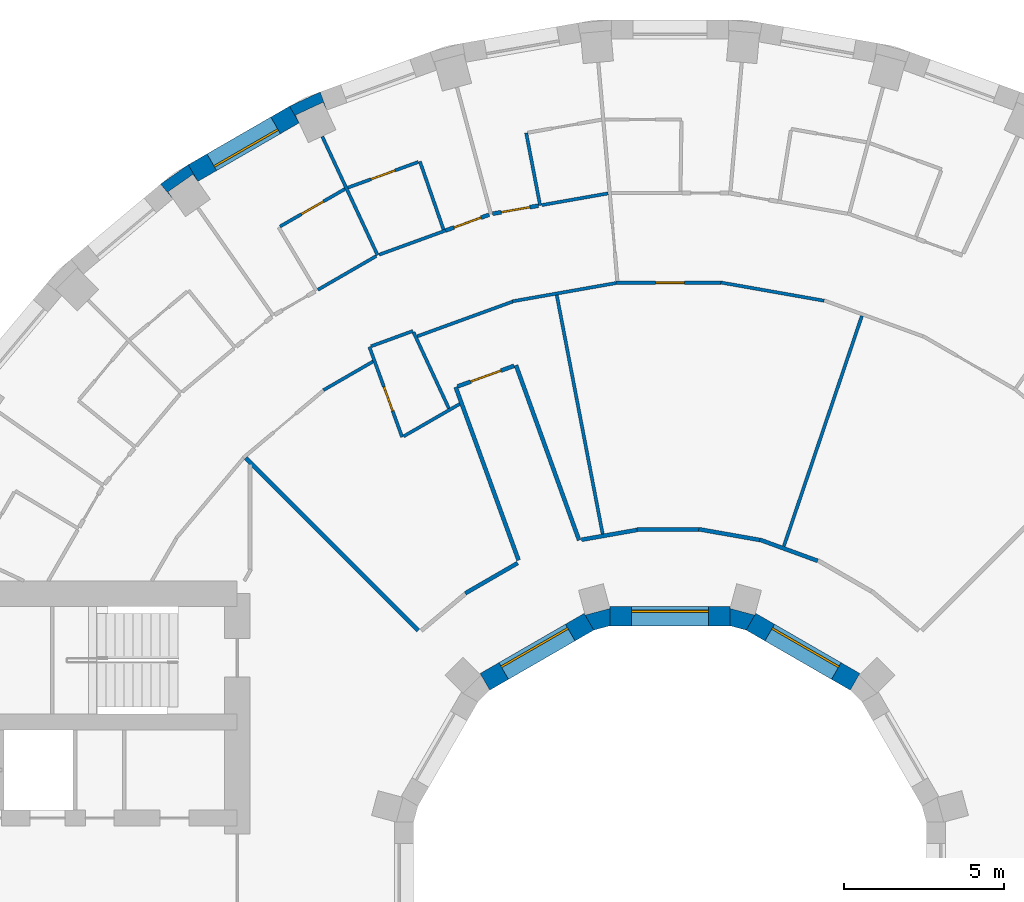
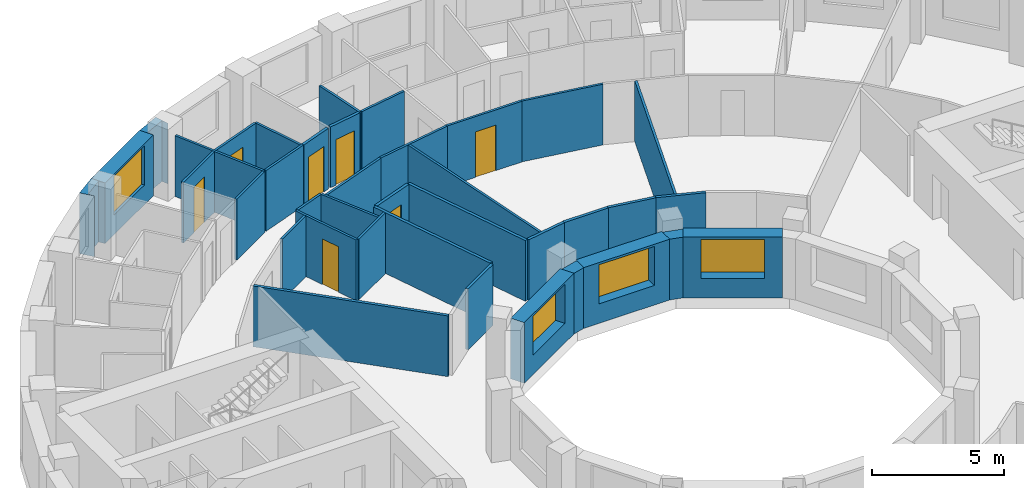
# One storey, part 10 of 14: 38 walls, 7 doors, 4 windows, 11 openings.
"""IFC4 building model written with IfcOpenShell, lengths in metres."""

import ifcopenshell
import ifcopenshell.guid

model = None  # the IFC model being written
_history = None  # IfcOwnerHistory: only IFC2X3 demands one
_inside = {}  # id of a spatial element -> (the spatial element, [elements in it])
_under = {}  # id of a project, library or spatial element -> (it, [spatial elements below it])
_declared = {}  # id of a project -> (the project, [libraries it declares])
_typed = {}  # id of a type object -> (the type object, [elements of that type])
_made_of = {}  # id of a material, layer set ... -> (it, [elements and type objects made of it])


def new_model(schema):
    """Start an empty IFC model of exactly this schema.

    Asked for "IFC4X3", IfcOpenShell would pick the latest addendum, in which some entities
    have other attributes; the version numbers below select the first issue.
    IFC2X3 requires an IfcOwnerHistory on every rooted entity: one is made here for all.
    """
    global model, _history
    if schema == "IFC4X3":
        model = ifcopenshell.file(schema_version=(4, 3, 0, 0))
    else:
        model = ifcopenshell.file(schema=schema)
    _inside.clear()
    _under.clear()
    _declared.clear()
    _typed.clear()
    _made_of.clear()
    _history = None
    if model.schema == "IFC2X3":
        org = make("IfcOrganization", Name="unknown")
        user = make(
            "IfcPersonAndOrganization",
            ThePerson=make("IfcPerson", FamilyName="unknown"),
            TheOrganization=org,
        )
        app = make(
            "IfcApplication",
            ApplicationDeveloper=org,
            Version="unknown",
            ApplicationFullName="unknown",
            ApplicationIdentifier="unknown",
        )
        _history = make(
            "IfcOwnerHistory",
            OwningUser=user,
            OwningApplication=app,
            ChangeAction="ADDED",
            CreationDate=0,
        )
    return model


def make(cls, **values):
    """One entity of the class cls with the attributes given. An attribute that is None is left unset."""
    return model.create_entity(
        cls, **{name: value for name, value in values.items() if value is not None}
    )


def rooted(cls, **values):
    """An entity with a GlobalId (a new one), such as an element, a storey or a relation."""
    return make(cls, GlobalId=ifcopenshell.guid.new(), OwnerHistory=_history, **values)


def si_unit(unit_type, name, prefix=None):
    """IfcSIUnit, for example si_unit("LENGTHUNIT", "METRE", prefix="MILLI")."""
    return make("IfcSIUnit", UnitType=unit_type, Prefix=prefix, Name=name)


def assignment(units):
    """IfcUnitAssignment: the units of a project."""
    return None if units is None else make("IfcUnitAssignment", Units=units)


def point(xyz):
    """IfcCartesianPoint."""
    return None if xyz is None else make("IfcCartesianPoint", Coordinates=xyz)


def direction(xyz):
    """IfcDirection."""
    return None if xyz is None else make("IfcDirection", DirectionRatios=xyz)


def frame(location, z_axis=None, x_axis=None):
    """IfcAxis2Placement3D, a coordinate frame: its origin and axes. An axis left out is left unset."""
    return make(
        "IfcAxis2Placement3D",
        Location=point(location),
        Axis=direction(z_axis),
        RefDirection=direction(x_axis),
    )


def frame_2d(location, x_axis=None):
    """IfcAxis2Placement2D, a coordinate frame in the plane: its origin and x axis."""
    return make(
        "IfcAxis2Placement2D", Location=point(location), RefDirection=direction(x_axis)
    )


def origin():
    """The frame at (0, 0, 0) with its axes left unset."""
    return frame((0.0, 0.0, 0.0))


def place(relative_to, where):
    """IfcLocalPlacement: puts the frame where relative to a parent placement (None: the world)."""
    return make(
        "IfcLocalPlacement", PlacementRelTo=relative_to, RelativePlacement=where
    )


def context(
    kind, dimensions, precision=None, world=None, true_north=None, identifier=None
):
    """IfcGeometricRepresentationContext, for example the 3D "Model" context."""
    return make(
        "IfcGeometricRepresentationContext",
        ContextIdentifier=identifier,
        ContextType=kind,
        CoordinateSpaceDimension=dimensions,
        Precision=precision,
        WorldCoordinateSystem=world,
        TrueNorth=true_north,
    )


def subcontext(parent, identifier, kind, view, scale=None):
    """IfcGeometricRepresentationSubContext, for example "Body" below "Model"."""
    return make(
        "IfcGeometricRepresentationSubContext",
        ContextIdentifier=identifier,
        ContextType=kind,
        ParentContext=parent,
        TargetScale=scale,
        TargetView=view,
    )


def project(units=None, contexts=None):
    """IfcProject with its units and contexts."""
    return rooted(
        "IfcProject",
        Name="project",
        RepresentationContexts=contexts,
        UnitsInContext=assignment(units),
    )


def spatial(cls, under=None, at=None, **own):
    """A site, building, storey or space (cls), placed at a placement, below another one or the project."""
    s = rooted(cls, ObjectPlacement=at, **own)
    if under is not None:
        _under.setdefault(under.id(), (under, []))[1].append(s)
    return s


def polyline(points):
    """IfcPolyline through the points."""
    return make("IfcPolyline", Points=[point(p) for p in points])


def profile(cls, at=None, kind="AREA", **sizes):
    """A parametric profile (cls). Its sizes go by their IFC names, for example OverallWidth=200.0."""
    return make(cls, ProfileType=kind, Position=at, **sizes)


def rectangle(**sizes):
    """IfcRectangleProfileDef."""
    return profile("IfcRectangleProfileDef", **sizes)


def outline(outer, holes=None, kind="AREA"):
    """IfcArbitraryClosedProfileDef: a profile drawn as a closed curve; with holes, ...WithVoids."""
    if holes is None:
        return make("IfcArbitraryClosedProfileDef", ProfileType=kind, OuterCurve=outer)
    return make(
        "IfcArbitraryProfileDefWithVoids",
        ProfileType=kind,
        OuterCurve=outer,
        InnerCurves=holes,
    )


def extrude(swept, where, along, depth):
    """IfcExtrudedAreaSolid: the profile swept, set in the frame where, extruded along a direction by depth."""
    return make(
        "IfcExtrudedAreaSolid",
        SweptArea=swept,
        Position=where,
        ExtrudedDirection=direction(along),
        Depth=depth,
    )


def shape(context_of_items, identifier, shape_type, items):
    """IfcShapeRepresentation: the items that make up one representation, for example the "Body"."""
    return make(
        "IfcShapeRepresentation",
        ContextOfItems=context_of_items,
        RepresentationIdentifier=identifier,
        RepresentationType=shape_type,
        Items=items,
    )


def material(Name=None, Category=None):
    """IfcMaterial."""
    return make("IfcMaterial", Name=Name, Category=Category)


def layer(
    of_material, thickness, ventilated=None, Name=None, Category=None, Priority=None
):
    """IfcMaterialLayer: one layer of a wall or slab, of a material (None: an air gap)."""
    return make(
        "IfcMaterialLayer",
        Material=of_material,
        LayerThickness=thickness,
        IsVentilated=ventilated,
        Name=Name,
        Category=Category,
        Priority=Priority,
    )


def layer_set(layers, Name=None):
    """IfcMaterialLayerSet."""
    return make("IfcMaterialLayerSet", MaterialLayers=layers, LayerSetName=Name)


def made_of(thing, what):
    """Note that an element or type object is made of a material, layer set ...; save() writes the relation."""
    if what is not None:
        _made_of.setdefault(what.id(), (what, []))[1].append(thing)
    return thing


def type_object(cls, material=None, **own):
    """A type object (cls), such as IfcWallType, which elements share."""
    return made_of(rooted(cls, **own), material)


def element(
    cls,
    number,
    at=None,
    inside=None,
    cuts=None,
    type_object=None,
    material=None,
    context=None,
    identifier="Body",
    shape_type=None,
    held_by="IfcProductDefinitionShape",
    body=None,
    shapes=None,
    **own,
):
    """One element of the class cls, such as IfcWall. Its Tag is "e" and its number.

    at: its placement. inside: the storey or other place that contains it. cuts: it is an
    opening in that element (IfcRelVoidsElement). A single representation is given by context,
    identifier, shape_type and body (its items); several are given by shapes. held_by: the class
    of the entity that holds the representations. save() writes the other relations.
    """
    e = rooted(cls, Tag="e%d" % number, ObjectPlacement=at, **own)
    if body is not None:
        shapes = [shape(context, identifier, shape_type, body)]
    if shapes is not None:
        e.Representation = make(held_by, Representations=shapes)
    if inside is not None:
        _inside.setdefault(inside.id(), (inside, []))[1].append(e)
    if cuts is not None:
        rooted(
            "IfcRelVoidsElement", RelatingBuildingElement=cuts, RelatedOpeningElement=e
        )
    if type_object is not None:
        _typed.setdefault(type_object.id(), (type_object, []))[1].append(e)
    return made_of(e, material)


def fill(opening, filler):
    """IfcRelFillsElement: the door or window that sits in an opening."""
    return rooted(
        "IfcRelFillsElement",
        RelatingOpeningElement=opening,
        RelatedBuildingElement=filler,
    )


def aggregate(whole, parts):
    """IfcRelAggregates: a whole, such as a stair, and the parts it consists of."""
    return rooted("IfcRelAggregates", RelatingObject=whole, RelatedObjects=parts)


def save(model, path):
    """Write the relations noted so far, then the file.

    IfcRelAggregates (storeys below a building ...), IfcRelContainedInSpatialStructure (elements
    in a storey), IfcRelDefinesByType, IfcRelAssociatesMaterial and IfcRelDeclares: one each for
    every whole, place, type object, material and project.
    """
    for whole, parts in _under.values():
        aggregate(whole, parts)
    for where, things in _inside.values():
        rooted(
            "IfcRelContainedInSpatialStructure",
            RelatedElements=things,
            RelatingStructure=where,
        )
    for kind, things in _typed.values():
        rooted("IfcRelDefinesByType", RelatedObjects=things, RelatingType=kind)
    for what, things in _made_of.values():
        rooted("IfcRelAssociatesMaterial", RelatedObjects=things, RelatingMaterial=what)
    for by, libraries in _declared.values():
        rooted("IfcRelDeclares", RelatingContext=by, RelatedDefinitions=libraries)
    model.write(path)


model = new_model("IFC4")

# Units and contexts
model_context = context("Model", 3, precision=1e-05, world=origin(), true_north=direction((0.0, 1.0)))
body_context = subcontext(model_context, "Body", "Model", "MODEL_VIEW")
ifc_project = project(units=[si_unit("LENGTHUNIT", "METRE"), si_unit("AREAUNIT", "SQUARE_METRE"), si_unit("VOLUMEUNIT", "CUBIC_METRE"), si_unit("PLANEANGLEUNIT", "RADIAN"), si_unit("MASSUNIT", "GRAM", prefix="KILO")], contexts=[model_context])

# Site, building, storey
site_placement = place(None, origin())
site = spatial("IfcSite", under=ifc_project, at=site_placement, CompositionType="ELEMENT")
building_placement = place(site_placement, origin())
building = spatial("IfcBuilding", under=site, at=building_placement, Name="Saqina Gate Tower", CompositionType="ELEMENT")
storey_placement = place(building_placement, frame((0.0, 0.0, 131.5)))
storey = spatial("IfcBuildingStorey", under=building, at=storey_placement, Name="L37", CompositionType="ELEMENT", Elevation=131.5)

# Walls
ifc_material_1 = material(Name="Brick masonry (buff)", Category="masonry")
wall_type_1 = type_object("IfcWallType", Name="BRICK PIER COPING BUFF", PredefinedType="SOLIDWALL", material=ifc_material_1)
wall_1_placement = place(storey_placement, origin())
element("IfcWall", 1, at=wall_1_placement, inside=storey, type_object=wall_type_1, Name="Pier cap L37 column 12", PredefinedType="SOLIDWALL", context=body_context, shape_type="SweptSolid", body=[
    extrude(outline(polyline([(-10.913330078125, 24.6513671875), (-11.869140625, 24.205810546875), (-11.569091796875, 23.68603515625), (-11.6826171875, 23.9296875), (-10.82177734375, 24.331298828125), (-10.7080078125, 24.08740234375), (-10.913330078125, 24.6513671875)])), origin(), (0.0, 0.0, 1.0), 2.800048828125),
])
wall_2_placement = place(storey_placement, origin())
element("IfcWall", 2, at=wall_2_placement, inside=storey, type_object=wall_type_1, Name="Pier cap L37 column 13", PredefinedType="SOLIDWALL", context=body_context, shape_type="SweptSolid", body=[
    extrude(outline(polyline([(-15.89208984375, 21.77685546875), (-15.50634765625, 21.317138671875), (-15.66064453125, 21.53759765625), (-14.88232421875, 22.08251953125), (-14.728271484375, 21.862060546875), (-15.0283203125, 22.3818359375), (-15.89208984375, 21.77685546875)])), origin(), (0.0, 0.0, 1.0), 2.800048828125),
])

# Wall, opening, window
ifc_material_2 = material(Name="Brick masonry (buff)", Category="masonry")
ifc_layer_1 = layer(ifc_material_2, 0.60009765625)
ifc_layer_set_1 = layer_set([ifc_layer_1], Name="FW-BRICK-BUFF")
wall_type_2 = type_object("IfcWallType", Name="FW-BRICK-BUFF", PredefinedType="SOLIDWALL", material=ifc_layer_set_1)
wall_3_placement = place(storey_placement, frame((-11.718994140625, 23.94580078125, 0.0), z_axis=(0.0, 0.0, 1.0), x_axis=(-0.866051847062, -0.499954196102, 0.0)))
wall_3 = element("IfcWall", 3, at=wall_3_placement, inside=storey, type_object=wall_type_2, Name="Facade wall L37 facet 12", PredefinedType="SOLIDWALL", context=body_context, shape_type="SweptSolid", body=[
    extrude(rectangle(XDim=3.647705078125, YDim=0.60009765625, at=frame_2d((1.82373046875, 0.0))), origin(), (0.0, 0.0, 1.0), 2.800048828125),
])
opening_1_placement = place(wall_3_placement, frame((0.673828125, 0.0, 0.89990234375)))
opening_1 = element("IfcOpeningElement", 4, at=opening_1_placement, cuts=wall_3, Name="Opening G11-W10", PredefinedType="OPENING", context=body_context, shape_type="SweptSolid", body=[
    extrude(rectangle(XDim=2.300048828125, YDim=1.800048828125, at=frame_2d((1.14990234375, 0.89990234375))), frame((0.0, 0.31201171875, 0.0), z_axis=(0.0, -1.0, 0.0), x_axis=(1.0, 0.0, 0.0)), (0.0, 0.0, 1.0), 0.6240234375),
])
ifc_material_3 = material(Name="Aluminium glazing", Category="aluminium")
window_type_1 = type_object("IfcWindowType", Name="WN-B", PartitioningType="SINGLE_PANEL", PredefinedType="WINDOW", material=ifc_material_3)
window_1_placement = place(opening_1_placement, origin())
window_1 = element("IfcWindow", 5, at=window_1_placement, inside=storey, type_object=window_type_1, Name="Window L37 facet 12", OverallHeight=1.800048828125, OverallWidth=2.300048828125, PartitioningType="SINGLE_PANEL", PredefinedType="WINDOW", context=body_context, shape_type="SweptSolid", body=[
    extrude(rectangle(XDim=2.300048828125, YDim=1.800048828125, at=frame_2d((1.14990234375, 0.89990234375))), frame((0.0, 0.179931640625, 0.0), z_axis=(0.0, -1.0, 0.0), x_axis=(1.0, 0.0, 0.0)), (0.0, 0.0, 1.0), 0.06005859375),
])
fill(opening_1, window_1)

ifc_material_4 = material(Name="Glazed ceramic tile", Category="ceramic")
ifc_layer_2 = layer(ifc_material_4, 0.60009765625)
ifc_layer_set_2 = layer_set([ifc_layer_2], Name="IW-TILE")
wall_type_3 = type_object("IfcWallType", Name="IW-TILE", PredefinedType="SOLIDWALL", material=ifc_layer_set_2)
wall_4_placement = place(storey_placement, frame((5.772705078125, 6.251220703125, 0.0), z_axis=(0.0, 0.0, 1.0), x_axis=(-0.86604563398, 0.499964958637, 0.0)))
wall_4 = element("IfcWall", 6, at=wall_4_placement, inside=storey, type_object=wall_type_3, Name="Well wall L37 facet 2", PredefinedType="SOLIDWALL", context=body_context, shape_type="SweptSolid", body=[
    extrude(rectangle(XDim=3.747314453125, YDim=0.60009765625, at=frame_2d((1.87353515625, 0.0))), origin(), (0.0, 0.0, 1.0), 2.800048828125),
])
opening_2_placement = place(wall_4_placement, frame((0.673583984375, 0.0, 0.89990234375)))
opening_2 = element("IfcOpeningElement", 7, at=opening_2_placement, cuts=wall_4, Name="Opening G11-W24", PredefinedType="OPENING", context=body_context, shape_type="SweptSolid", body=[
    extrude(rectangle(XDim=2.39990234375, YDim=1.800048828125, at=frame_2d((1.199951171875, 0.89990234375))), frame((0.0, 0.31201171875, 0.0), z_axis=(0.0, -1.0, 0.0), x_axis=(1.0, 0.0, 0.0)), (0.0, 0.0, 1.0), 0.6240234375),
])
ifc_material_5 = material(Name="Aluminium glazing", Category="aluminium")
window_type_2 = type_object("IfcWindowType", Name="WN-W", PartitioningType="SINGLE_PANEL", PredefinedType="WINDOW", material=ifc_material_5)
window_2_placement = place(opening_2_placement, origin())
window_2 = element("IfcWindow", 8, at=window_2_placement, inside=storey, type_object=window_type_2, Name="Well window L37 facet 2", OverallHeight=1.800048828125, OverallWidth=2.39990234375, PartitioningType="SINGLE_PANEL", PredefinedType="WINDOW", context=body_context, shape_type="SweptSolid", body=[
    extrude(rectangle(XDim=2.39990234375, YDim=1.800048828125, at=frame_2d((1.199951171875, 0.89990234375))), frame((0.0, -0.119873046875, 0.0), z_axis=(0.0, -1.0, 0.0), x_axis=(1.0, 0.0, 0.0)), (0.0, 0.0, 1.0), 0.06005859375),
])
fill(opening_2, window_2)

wall_5_placement = place(storey_placement, frame((1.873779296875, 8.300048828125, 0.0), z_axis=(0.0, 0.0, 1.0), x_axis=(-1.0, 0.0, 0.0)))
wall_5 = element("IfcWall", 9, at=wall_5_placement, inside=storey, type_object=wall_type_3, Name="Well wall L37 facet 3", PredefinedType="SOLIDWALL", context=body_context, shape_type="SweptSolid", body=[
    extrude(rectangle(XDim=3.74755859375, YDim=0.60009765625, at=frame_2d((1.873779296875, 0.0))), origin(), (0.0, 0.0, 1.0), 2.800048828125),
])
opening_3_placement = place(wall_5_placement, frame((0.673583984375, 0.0, 0.89990234375)))
opening_3 = element("IfcOpeningElement", 10, at=opening_3_placement, cuts=wall_5, Name="Opening G11-W25", PredefinedType="OPENING", context=body_context, shape_type="SweptSolid", body=[
    extrude(rectangle(XDim=2.39990234375, YDim=1.800048828125, at=frame_2d((1.199951171875, 0.89990234375))), frame((0.0, 0.31201171875, 0.0), z_axis=(0.0, -1.0, 0.0), x_axis=(1.0, 0.0, 0.0)), (0.0, 0.0, 1.0), 0.6240234375),
])
window_3_placement = place(opening_3_placement, origin())
window_3 = element("IfcWindow", 11, at=window_3_placement, inside=storey, type_object=window_type_2, Name="Well window L37 facet 3", OverallHeight=1.800048828125, OverallWidth=2.39990234375, PartitioningType="SINGLE_PANEL", PredefinedType="WINDOW", context=body_context, shape_type="SweptSolid", body=[
    extrude(rectangle(XDim=2.39990234375, YDim=1.800048828125, at=frame_2d((1.199951171875, 0.89990234375))), frame((0.0, -0.119873046875, 0.0), z_axis=(0.0, -1.0, 0.0), x_axis=(1.0, 0.0, 0.0)), (0.0, 0.0, 1.0), 0.06005859375),
])
fill(opening_3, window_3)

wall_6_placement = place(storey_placement, frame((-2.52734375, 8.124755859375, 0.0), z_axis=(0.0, 0.0, 1.0), x_axis=(-0.86604563398, -0.499964958637, 0.0)))
wall_6 = element("IfcWall", 12, at=wall_6_placement, inside=storey, type_object=wall_type_3, Name="Well wall L37 facet 4", PredefinedType="SOLIDWALL", context=body_context, shape_type="SweptSolid", body=[
    extrude(rectangle(XDim=3.747314453125, YDim=0.60009765625, at=frame_2d((1.87353515625, 0.0))), origin(), (0.0, 0.0, 1.0), 2.800048828125),
])
opening_4_placement = place(wall_6_placement, frame((0.673583984375, 0.0, 0.89990234375)))
opening_4 = element("IfcOpeningElement", 13, at=opening_4_placement, cuts=wall_6, Name="Opening G11-W26", PredefinedType="OPENING", context=body_context, shape_type="SweptSolid", body=[
    extrude(rectangle(XDim=2.39990234375, YDim=1.800048828125, at=frame_2d((1.199951171875, 0.89990234375))), frame((0.0, 0.31201171875, 0.0), z_axis=(0.0, -1.0, 0.0), x_axis=(1.0, 0.0, 0.0)), (0.0, 0.0, 1.0), 0.6240234375),
])
window_4_placement = place(opening_4_placement, origin())
window_4 = element("IfcWindow", 14, at=window_4_placement, inside=storey, type_object=window_type_2, Name="Well window L37 facet 4", OverallHeight=1.800048828125, OverallWidth=2.39990234375, PartitioningType="SINGLE_PANEL", PredefinedType="WINDOW", context=body_context, shape_type="SweptSolid", body=[
    extrude(rectangle(XDim=2.39990234375, YDim=1.800048828125, at=frame_2d((1.199951171875, 0.89990234375))), frame((0.0, -0.119873046875, 0.0), z_axis=(0.0, -1.0, 0.0), x_axis=(1.0, 0.0, 0.0)), (0.0, 0.0, 1.0), 0.06005859375),
])
fill(opening_4, window_4)

# Walls
ifc_material_6 = material(Name="Gypsum board on steel studs, 100 mm", Category="steel")
ifc_layer_3 = layer(ifc_material_6, 0.10009765625)
ifc_layer_set_3 = layer_set([ifc_layer_3], Name="PARTITION 100")
wall_type_4 = type_object("IfcWallType", Name="PARTITION 100", PredefinedType="PARTITIONING", material=ifc_layer_set_3)
wall_7_placement = place(storey_placement, frame((-4.486083984375, 23.373046875, 0.0), z_axis=(0.0, 0.0, 1.0), x_axis=(0.188701744684, -0.982034445197, 0.0)))
element("IfcWall", 15, at=wall_7_placement, inside=storey, type_object=wall_type_4, Name="PARTITION PW3-06", PredefinedType="PARTITIONING", context=body_context, shape_type="SweptSolid", body=[
    extrude(rectangle(XDim=2.30029296875, YDim=0.10009765625, at=frame_2d((1.150146484375, 0.0))), origin(), (0.0, 0.0, 1.0), 2.800048828125),
])
wall_8_placement = place(storey_placement, frame((-3.532470703125, 18.31396484375, 0.0), z_axis=(0.0, 0.0, 1.0), x_axis=(0.188654052272, -0.982043608279, 0.0)))
element("IfcWall", 16, at=wall_8_placement, inside=storey, type_object=wall_type_4, Name="PARTITION PW3-07", PredefinedType="PARTITIONING", context=body_context, shape_type="SweptSolid", body=[
    extrude(rectangle(XDim=7.58740234375, YDim=0.10009765625, at=frame_2d((3.793701171875, 0.0))), origin(), (0.0, 0.0, 1.0), 2.800048828125),
])
wall_9_placement = place(storey_placement, frame((-7.802001953125, 22.485107421875, 0.0), z_axis=(0.0, 0.0, 1.0), x_axis=(0.327758868129, -0.944761411343, 0.0)))
element("IfcWall", 17, at=wall_9_placement, inside=storey, type_object=wall_type_4, Name="PARTITION PW3-10", PredefinedType="PARTITIONING", context=body_context, shape_type="SweptSolid", body=[
    extrude(rectangle(XDim=2.250244140625, YDim=0.10009765625, at=frame_2d((1.125, 0.0))), origin(), (0.0, 0.0, 1.0), 2.800048828125),
])

# Wall, opening, door
wall_10_placement = place(storey_placement, frame((-9.377685546875, 16.7001953125, 0.0), z_axis=(0.0, 0.0, 1.0), x_axis=(0.341009323841, -0.940059913545, 0.0)))
wall_10 = element("IfcWall", 18, at=wall_10_placement, inside=storey, type_object=wall_type_4, Name="PARTITION PW3-11", PredefinedType="PARTITIONING", context=body_context, shape_type="SweptSolid", body=[
    extrude(rectangle(XDim=2.99267578125, YDim=0.10009765625, at=frame_2d((1.496337890625, 0.0))), origin(), (0.0, 0.0, 1.0), 2.800048828125),
])
opening_5_placement = place(wall_10_placement, frame((1.325927734375, 0.0, 0.0)))
opening_5 = element("IfcOpeningElement", 19, at=opening_5_placement, cuts=wall_10, Name="Opening G11-D18", PredefinedType="OPENING", context=body_context, shape_type="SweptSolid", body=[
    extrude(rectangle(XDim=0.800048828125, YDim=2.10009765625, at=frame_2d((0.39990234375, 1.050048828125))), frame((0.0, 0.06201171875, 0.0), z_axis=(0.0, -1.0, 0.0), x_axis=(1.0, 0.0, 0.0)), (0.0, 0.0, 1.0), 0.1240234375),
])
ifc_material_7 = material(Name="Timber door leaf, 800 mm", Category="wood")
door_type_1 = type_object("IfcDoorType", Name="DOOR 800 TIMBER", OperationType="SINGLE_SWING_LEFT", PredefinedType="DOOR", material=ifc_material_7)
door_1_placement = place(opening_5_placement, frame((0.800048828125, 0.0, 0.0), z_axis=(0.0, 0.0, 1.0), x_axis=(-1.0, 0.0, 0.0)))
door_1 = element("IfcDoor", 20, at=door_1_placement, inside=storey, type_object=door_type_1, Name="DOOR G11-D18", OperationType="SINGLE_SWING_LEFT", OverallHeight=2.10009765625, OverallWidth=0.800048828125, PredefinedType="DOOR", context=body_context, shape_type="SweptSolid", body=[
    extrude(rectangle(XDim=0.800048828125, YDim=2.10009765625, at=frame_2d((0.39990234375, 1.050048828125))), frame((0.0, 0.02490234375, 0.0), z_axis=(0.0, -1.0, 0.0), x_axis=(1.0, 0.0, 0.0)), (0.0, 0.0, 1.0), 0.050048828125),
])
fill(opening_5, door_1)

# Walls
wall_11_placement = place(storey_placement, frame((-8.000732421875, 17.15771484375, 0.0), z_axis=(0.0, 0.0, 1.0), x_axis=(0.420966177441, -0.907076334964, 0.0)))
element("IfcWall", 21, at=wall_11_placement, inside=storey, type_object=wall_type_4, Name="PARTITION PW3-13", PredefinedType="PARTITIONING", context=body_context, shape_type="SweptSolid", body=[
    extrude(rectangle(XDim=2.61962890625, YDim=0.10009765625, at=frame_2d((1.309814453125, 0.0))), origin(), (0.0, 0.0, 1.0), 2.800048828125),
])
wall_12_placement = place(storey_placement, frame((-10.84716796875, 23.260009765625, 0.0), z_axis=(0.0, 0.0, 1.0), x_axis=(0.422784035137, -0.906230467173, 0.0)))
element("IfcWall", 22, at=wall_12_placement, inside=storey, type_object=wall_type_4, Name="PARTITION PW3-14", PredefinedType="PARTITIONING", context=body_context, shape_type="SweptSolid", body=[
    extrude(rectangle(XDim=4.0849609375, YDim=0.10009765625, at=frame_2d((2.04248046875, 0.0))), origin(), (0.0, 0.0, 1.0), 2.800048828125),
])
wall_13_placement = place(storey_placement, frame((1.5859375, 18.707763671875, 0.0), z_axis=(0.0, 0.0, 1.0), x_axis=(0.984816586048, -0.17359807558, 0.0)))
element("IfcWall", 23, at=wall_13_placement, inside=storey, type_object=wall_type_4, Name="PARTITION PW3-35", PredefinedType="PARTITIONING", context=body_context, shape_type="SweptSolid", body=[
    extrude(rectangle(XDim=3.272705078125, YDim=0.10009765625, at=frame_2d((1.63623046875, 0.0))), origin(), (0.0, 0.0, 1.0), 2.800048828125),
])

# Wall, opening, door
wall_14_placement = place(storey_placement, frame((-1.686767578125, 18.698974609375, 0.0), z_axis=(0.0, 0.0, 1.0), x_axis=(1.0, 0.0, 0.0)))
wall_14 = element("IfcWall", 24, at=wall_14_placement, inside=storey, type_object=wall_type_4, Name="PARTITION PW3-41", PredefinedType="PARTITIONING", context=body_context, shape_type="SweptSolid", body=[
    extrude(rectangle(XDim=3.272705078125, YDim=0.10009765625, at=frame_2d((1.63623046875, 0.0))), origin(), (0.0, 0.0, 1.0), 2.800048828125),
])
opening_6_placement = place(wall_14_placement, frame((1.23681640625, 0.0, 0.0)))
opening_6 = element("IfcOpeningElement", 25, at=opening_6_placement, cuts=wall_14, Name="Opening G11-D09", PredefinedType="OPENING", context=body_context, shape_type="SweptSolid", body=[
    extrude(rectangle(XDim=0.89990234375, YDim=2.10009765625, at=frame_2d((0.449951171875, 1.050048828125))), frame((0.0, 0.06201171875, 0.0), z_axis=(0.0, -1.0, 0.0), x_axis=(1.0, 0.0, 0.0)), (0.0, 0.0, 1.0), 0.1240234375),
])
ifc_material_8 = material(Name="Timber door leaf, 900 mm", Category="wood")
door_type_2 = type_object("IfcDoorType", Name="DOOR 900 TIMBER", OperationType="SINGLE_SWING_LEFT", PredefinedType="DOOR", material=ifc_material_8)
door_2_placement = place(opening_6_placement, origin())
door_2 = element("IfcDoor", 26, at=door_2_placement, inside=storey, type_object=door_type_2, Name="DOOR G11-D09", OperationType="SINGLE_SWING_RIGHT", OverallHeight=2.10009765625, OverallWidth=0.89990234375, PredefinedType="DOOR", context=body_context, shape_type="SweptSolid", body=[
    extrude(rectangle(XDim=0.89990234375, YDim=2.10009765625, at=frame_2d((0.449951171875, 1.050048828125))), frame((0.0, 0.02490234375, 0.0), z_axis=(0.0, -1.0, 0.0), x_axis=(1.0, 0.0, 0.0)), (0.0, 0.0, 1.0), 0.050048828125),
])
fill(opening_6, door_2)

# Walls
wall_15_placement = place(storey_placement, frame((-4.907958984375, 18.1220703125, 0.0), z_axis=(0.0, 0.0, 1.0), x_axis=(0.984801579175, 0.1736831876, 0.0)))
element("IfcWall", 27, at=wall_15_placement, inside=storey, type_object=wall_type_4, Name="PARTITION PW3-48", PredefinedType="PARTITIONING", context=body_context, shape_type="SweptSolid", body=[
    extrude(rectangle(XDim=3.2724609375, YDim=0.10009765625, at=frame_2d((1.63623046875, 0.0))), origin(), (0.0, 0.0, 1.0), 2.800048828125),
])
wall_16_placement = place(storey_placement, frame((-4.002685546875, 21.122802734375, 0.0), z_axis=(0.0, 0.0, 1.0), x_axis=(0.984804573467, 0.173666208797, 0.0)))
element("IfcWall", 28, at=wall_16_placement, inside=storey, type_object=wall_type_4, Name="PARTITION PW3-49", PredefinedType="PARTITIONING", context=body_context, shape_type="SweptSolid", body=[
    extrude(rectangle(XDim=2.1044921875, YDim=0.10009765625, at=frame_2d((1.05224609375, 0.0))), origin(), (0.0, 0.0, 1.0), 2.800048828125),
])
wall_17_placement = place(storey_placement, frame((-7.885009765625, 17.029052734375, 0.0), z_axis=(0.0, 0.0, 1.0), x_axis=(0.939658489008, 0.342113905059, 0.0)))
element("IfcWall", 29, at=wall_17_placement, inside=storey, type_object=wall_type_4, Name="PARTITION PW3-54", PredefinedType="PARTITIONING", context=body_context, shape_type="SweptSolid", body=[
    extrude(rectangle(XDim=3.17138671875, YDim=0.10009765625, at=frame_2d((1.585693359375, 0.0))), origin(), (0.0, 0.0, 1.0), 2.800048828125),
])
wall_18_placement = place(storey_placement, frame((-9.3291015625, 16.7177734375, 0.0), z_axis=(0.0, 0.0, 1.0), x_axis=(0.939665632091, 0.342094285054, 0.0)))
element("IfcWall", 30, at=wall_18_placement, inside=storey, type_object=wall_type_4, Name="PARTITION PW3-55", PredefinedType="PARTITIONING", context=body_context, shape_type="SweptSolid", body=[
    extrude(rectangle(XDim=1.395263671875, YDim=0.10009765625, at=frame_2d((0.69775390625, 0.0))), origin(), (0.0, 0.0, 1.0), 2.800048828125),
])
wall_19_placement = place(storey_placement, frame((-9.072998046875, 19.5751953125, 0.0), z_axis=(0.0, 0.0, 1.0), x_axis=(0.939728749343, 0.341920864613, 0.0)))
element("IfcWall", 31, at=wall_19_placement, inside=storey, type_object=wall_type_4, Name="PARTITION PW3-56", PredefinedType="PARTITIONING", context=body_context, shape_type="SweptSolid", body=[
    extrude(rectangle(XDim=2.204833984375, YDim=0.10009765625, at=frame_2d((1.1025390625, 0.0))), origin(), (0.0, 0.0, 1.0), 2.800048828125),
])

# Wall, opening, door
wall_20_placement = place(storey_placement, frame((-10.049072265625, 21.6669921875, 0.0), z_axis=(0.0, 0.0, 1.0), x_axis=(0.939662448837, 0.342103028699, 0.0)))
wall_20 = element("IfcWall", 32, at=wall_20_placement, inside=storey, type_object=wall_type_4, Name="PARTITION PW3-57", PredefinedType="PARTITIONING", context=body_context, shape_type="SweptSolid", body=[
    extrude(rectangle(XDim=2.341552734375, YDim=0.10009765625, at=frame_2d((1.1708984375, 0.0))), origin(), (0.0, 0.0, 1.0), 2.800048828125),
])
opening_7_placement = place(wall_20_placement, frame((0.7705078125, 0.0, 0.0)))
opening_7 = element("IfcOpeningElement", 33, at=opening_7_placement, cuts=wall_20, Name="Opening G11-D16", PredefinedType="OPENING", context=body_context, shape_type="SweptSolid", body=[
    extrude(rectangle(XDim=0.800048828125, YDim=2.10009765625, at=frame_2d((0.39990234375, 1.050048828125))), frame((0.0, 0.06201171875, 0.0), z_axis=(0.0, -1.0, 0.0), x_axis=(1.0, 0.0, 0.0)), (0.0, 0.0, 1.0), 0.1240234375),
])
door_3_placement = place(opening_7_placement, origin())
door_3 = element("IfcDoor", 34, at=door_3_placement, inside=storey, type_object=door_type_1, Name="DOOR G11-D16", OperationType="SINGLE_SWING_LEFT", OverallHeight=2.10009765625, OverallWidth=0.800048828125, PredefinedType="DOOR", context=body_context, shape_type="SweptSolid", body=[
    extrude(rectangle(XDim=0.800048828125, YDim=2.10009765625, at=frame_2d((0.39990234375, 1.050048828125))), frame((0.0, 0.02490234375, 0.0), z_axis=(0.0, -1.0, 0.0), x_axis=(1.0, 0.0, 0.0)), (0.0, 0.0, 1.0), 0.050048828125),
])
fill(opening_7, door_3)

# Walls
wall_21_placement = place(storey_placement, frame((-8.309814453125, 13.908935546875, 0.0), z_axis=(0.0, 0.0, 1.0), x_axis=(0.866137275136, 0.499806183056, 0.0)))
element("IfcWall", 35, at=wall_21_placement, inside=storey, type_object=wall_type_4, Name="PARTITION PW3-59", PredefinedType="PARTITIONING", context=body_context, shape_type="SweptSolid", body=[
    extrude(rectangle(XDim=2.019287109375, YDim=0.10009765625, at=frame_2d((1.009765625, 0.0))), origin(), (0.0, 0.0, 1.0), 2.800048828125),
])
wall_22_placement = place(storey_placement, frame((-10.81005859375, 15.3505859375, 0.0), z_axis=(0.0, 0.0, 1.0), x_axis=(0.866037519928, 0.499979013637, 0.0)))
element("IfcWall", 36, at=wall_22_placement, inside=storey, type_object=wall_type_4, Name="PARTITION PW3-60", PredefinedType="PARTITIONING", context=body_context, shape_type="SweptSolid", body=[
    extrude(rectangle(XDim=1.78466796875, YDim=0.10009765625, at=frame_2d((0.892333984375, 0.0))), origin(), (0.0, 0.0, 1.0), 2.800048828125),
])
wall_23_placement = place(storey_placement, frame((-10.985595703125, 18.47998046875, 0.0), z_axis=(0.0, 0.0, 1.0), x_axis=(0.865841622723, 0.50031818312, 0.0)))
element("IfcWall", 37, at=wall_23_placement, inside=storey, type_object=wall_type_4, Name="PARTITION PW3-61", PredefinedType="PARTITIONING", context=body_context, shape_type="SweptSolid", body=[
    extrude(rectangle(XDim=2.104736328125, YDim=0.10009765625, at=frame_2d((1.05224609375, 0.0))), origin(), (0.0, 0.0, 1.0), 2.800048828125),
])

# Wall, opening, door
wall_24_placement = place(storey_placement, frame((-12.165771484375, 20.455078125, 0.0), z_axis=(0.0, 0.0, 1.0), x_axis=(0.866025730634, 0.499999433879, 0.0)))
wall_24 = element("IfcWall", 38, at=wall_24_placement, inside=storey, type_object=wall_type_4, Name="PARTITION PW3-62", PredefinedType="PARTITIONING", context=body_context, shape_type="SweptSolid", body=[
    extrude(rectangle(XDim=2.33984375, YDim=0.10009765625, at=frame_2d((1.169921875, 0.0))), origin(), (0.0, 0.0, 1.0), 2.800048828125),
])
opening_8_placement = place(wall_24_placement, frame((0.77001953125, 0.0, 0.0)))
opening_8 = element("IfcOpeningElement", 39, at=opening_8_placement, cuts=wall_24, Name="Opening G11-D17", PredefinedType="OPENING", context=body_context, shape_type="SweptSolid", body=[
    extrude(rectangle(XDim=0.800048828125, YDim=2.10009765625, at=frame_2d((0.39990234375, 1.050048828125))), frame((0.0, 0.06201171875, 0.0), z_axis=(0.0, -1.0, 0.0), x_axis=(1.0, 0.0, 0.0)), (0.0, 0.0, 1.0), 0.1240234375),
])
door_4_placement = place(opening_8_placement, origin())
door_4 = element("IfcDoor", 40, at=door_4_placement, inside=storey, type_object=door_type_1, Name="DOOR G11-D17", OperationType="SINGLE_SWING_RIGHT", OverallHeight=2.10009765625, OverallWidth=0.800048828125, PredefinedType="DOOR", context=body_context, shape_type="SweptSolid", body=[
    extrude(rectangle(XDim=0.800048828125, YDim=2.10009765625, at=frame_2d((0.39990234375, 1.050048828125))), frame((0.0, 0.02490234375, 0.0), z_axis=(0.0, -1.0, 0.0), x_axis=(1.0, 0.0, 0.0)), (0.0, 0.0, 1.0), 0.050048828125),
])
fill(opening_8, door_4)

# Walls
wall_25_placement = place(storey_placement, frame((3.552001953125, 10.479736328125, 0.0), z_axis=(0.0, 0.0, 1.0), x_axis=(0.320895480421, 0.947114613257, 0.0)))
element("IfcWall", 41, at=wall_25_placement, inside=storey, type_object=wall_type_4, Name="PARTITION PW3-80", PredefinedType="PARTITIONING", context=body_context, shape_type="SweptSolid", body=[
    extrude(rectangle(XDim=7.58837890625, YDim=0.10009765625, at=frame_2d((3.794189453125, 0.0))), origin(), (0.0, 0.0, 1.0), 2.800048828125),
])
ifc_material_9 = material(Name="Gypsum board on steel studs, 125 mm, fire rated", Category="steel")
ifc_layer_4 = layer(ifc_material_9, 0.125)
ifc_layer_set_4 = layer_set([ifc_layer_4], Name="PARTITION EI 30 125")
wall_type_5 = type_object("IfcWallType", Name="PARTITION EI 30 125", PredefinedType="PARTITIONING", material=ifc_layer_set_4)
wall_26_placement = place(storey_placement, frame((-4.804931640625, 16.127197265625, 0.0), z_axis=(0.0, 0.0, 1.0), x_axis=(0.339327115449, -0.940668437188, 0.0)))
element("IfcWall", 42, at=wall_26_placement, inside=storey, type_object=wall_type_5, Name="PARTITION PW1-03", PredefinedType="PARTITIONING", context=body_context, shape_type="SweptSolid", body=[
    extrude(rectangle(XDim=5.80419921875, YDim=0.125, at=frame_2d((2.902099609375, 0.0))), origin(), (0.0, 0.0, 1.0), 2.800048828125),
])
wall_27_placement = place(storey_placement, frame((-6.685791015625, 15.445068359375, 0.0), z_axis=(0.0, 0.0, 1.0), x_axis=(0.341435936204, -0.939905049177, 0.0)))
element("IfcWall", 43, at=wall_27_placement, inside=storey, type_object=wall_type_5, Name="PARTITION PW1-04", PredefinedType="PARTITIONING", context=body_context, shape_type="SweptSolid", body=[
    extrude(rectangle(XDim=5.74462890625, YDim=0.125, at=frame_2d((2.872314453125, 0.0))), origin(), (0.0, 0.0, 1.0), 2.800048828125),
])
wall_28_placement = place(storey_placement, frame((-13.236572265625, 13.236572265625, 0.0), z_axis=(0.0, 0.0, 1.0), x_axis=(0.707106781187, -0.707106781187, 0.0)))
element("IfcWall", 44, at=wall_28_placement, inside=storey, type_object=wall_type_5, Name="PARTITION PW1-06", PredefinedType="PARTITIONING", context=body_context, shape_type="SweptSolid", body=[
    extrude(rectangle(XDim=7.614501953125, YDim=0.125, at=frame_2d((3.80712890625, 0.0))), origin(), (0.0, 0.0, 1.0), 2.800048828125),
])
wall_29_placement = place(storey_placement, frame((2.798095703125, 10.685546875, 0.0), z_axis=(0.0, 0.0, 1.0), x_axis=(0.939367042811, -0.34291334019, 0.0)))
element("IfcWall", 45, at=wall_29_placement, inside=storey, type_object=wall_type_5, Name="PARTITION PW1-12", PredefinedType="PARTITIONING", context=body_context, shape_type="SweptSolid", body=[
    extrude(rectangle(XDim=1.92578125, YDim=0.125, at=frame_2d((0.962890625, 0.0))), origin(), (0.0, 0.0, 1.0), 2.800048828125),
])
wall_30_placement = place(storey_placement, frame((0.8994140625, 11.010986328125, 0.0), z_axis=(0.0, 0.0, 1.0), x_axis=(0.984830733923, -0.173517795977, 0.0)))
element("IfcWall", 46, at=wall_30_placement, inside=storey, type_object=wall_type_5, Name="PARTITION PW1-17", PredefinedType="PARTITIONING", context=body_context, shape_type="SweptSolid", body=[
    extrude(rectangle(XDim=1.92626953125, YDim=0.125, at=frame_2d((0.963134765625, 0.0))), origin(), (0.0, 0.0, 1.0), 2.800048828125),
])
wall_31_placement = place(storey_placement, frame((-1.025390625, 11.0, 0.0), z_axis=(0.0, 0.0, 1.0), x_axis=(1.0, 0.0, 0.0)))
element("IfcWall", 47, at=wall_31_placement, inside=storey, type_object=wall_type_5, Name="PARTITION PW1-21", PredefinedType="PARTITIONING", context=body_context, shape_type="SweptSolid", body=[
    extrude(rectangle(XDim=1.9248046875, YDim=0.125, at=frame_2d((0.96240234375, 0.0))), origin(), (0.0, 0.0, 1.0), 2.800048828125),
])
wall_32_placement = place(storey_placement, frame((-2.760498046875, 10.68310546875, 0.0), z_axis=(0.0, 0.0, 1.0), x_axis=(0.98482115855, 0.173572133917, 0.0)))
element("IfcWall", 48, at=wall_32_placement, inside=storey, type_object=wall_type_5, Name="PARTITION PW1-25", PredefinedType="PARTITIONING", context=body_context, shape_type="SweptSolid", body=[
    extrude(rectangle(XDim=1.763916015625, YDim=0.125, at=frame_2d((0.8818359375, 0.0))), origin(), (0.0, 0.0, 1.0), 2.800048828125),
])

# Wall, opening, door
wall_33_placement = place(storey_placement, frame((-5.53564453125, 20.852783203125, 0.0), z_axis=(0.0, 0.0, 1.0), x_axis=(0.984862774054, 0.173335848233, 0.0)))
wall_33 = element("IfcWall", 49, at=wall_33_placement, inside=storey, type_object=wall_type_5, Name="PARTITION PW1-26", PredefinedType="PARTITIONING", context=body_context, shape_type="SweptSolid", body=[
    extrude(rectangle(XDim=1.456298828125, YDim=0.125, at=frame_2d((0.72802734375, 0.0))), origin(), (0.0, 0.0, 1.0), 2.800048828125),
])
opening_9_placement = place(wall_33_placement, frame((0.2783203125, 0.0, 0.0)))
opening_9 = element("IfcOpeningElement", 50, at=opening_9_placement, cuts=wall_33, Name="Opening G11-D13", PredefinedType="OPENING", context=body_context, shape_type="SweptSolid", body=[
    extrude(rectangle(XDim=0.89990234375, YDim=2.10009765625, at=frame_2d((0.449951171875, 1.050048828125))), frame((0.0, 0.074462890625, 0.0), z_axis=(0.0, -1.0, 0.0), x_axis=(1.0, 0.0, 0.0)), (0.0, 0.0, 1.0), 0.14892578125),
])
ifc_material_10 = material(Name="Fire door leaf EI 30, 900 mm")
door_type_3 = type_object("IfcDoorType", Name="DOOR 900 EI 30", OperationType="SINGLE_SWING_LEFT", PredefinedType="DOOR", material=ifc_material_10)
door_5_placement = place(opening_9_placement, frame((0.89990234375, 0.0, 0.0), z_axis=(0.0, 0.0, 1.0), x_axis=(-1.0, 0.0, 0.0)))
door_5 = element("IfcDoor", 51, at=door_5_placement, inside=storey, type_object=door_type_3, Name="DOOR G11-D13", OperationType="SINGLE_SWING_RIGHT", OverallHeight=2.10009765625, OverallWidth=0.89990234375, PredefinedType="DOOR", context=body_context, shape_type="SweptSolid", body=[
    extrude(rectangle(XDim=0.89990234375, YDim=2.10009765625, at=frame_2d((0.449951171875, 1.050048828125))), frame((0.0, 0.02490234375, 0.0), z_axis=(0.0, -1.0, 0.0), x_axis=(1.0, 0.0, 0.0)), (0.0, 0.0, 1.0), 0.050048828125),
])
fill(opening_9, door_5)

wall_34_placement = place(storey_placement, frame((-6.625244140625, 15.467041015625, 0.0), z_axis=(0.0, 0.0, 1.0), x_axis=(0.939717302556, 0.341952323105, 0.0)))
wall_34 = element("IfcWall", 52, at=wall_34_placement, inside=storey, type_object=wall_type_5, Name="PARTITION PW1-29", PredefinedType="PARTITIONING", context=body_context, shape_type="SweptSolid", body=[
    extrude(rectangle(XDim=1.87353515625, YDim=0.125, at=frame_2d((0.936767578125, 0.0))), origin(), (0.0, 0.0, 1.0), 2.800048828125),
])
opening_10_placement = place(wall_34_placement, frame((0.435791015625, 0.0, 0.0)))
opening_10 = element("IfcOpeningElement", 53, at=opening_10_placement, cuts=wall_34, Name="Opening G11-D15", PredefinedType="OPENING", context=body_context, shape_type="SweptSolid", body=[
    extrude(rectangle(XDim=1.0, YDim=2.10009765625, at=frame_2d((0.5, 1.050048828125))), frame((0.0, 0.074462890625, 0.0), z_axis=(0.0, -1.0, 0.0), x_axis=(1.0, 0.0, 0.0)), (0.0, 0.0, 1.0), 0.14892578125),
])
ifc_material_11 = material(Name="Fire door leaf EI 30, 1000 mm")
door_type_4 = type_object("IfcDoorType", Name="DOOR 1000 EI 30", OperationType="SINGLE_SWING_LEFT", PredefinedType="DOOR", material=ifc_material_11)
door_6_placement = place(opening_10_placement, origin())
door_6 = element("IfcDoor", 54, at=door_6_placement, inside=storey, type_object=door_type_4, Name="DOOR G11-D15", OperationType="SINGLE_SWING_LEFT", OverallHeight=2.10009765625, OverallWidth=1.0, PredefinedType="DOOR", context=body_context, shape_type="SweptSolid", body=[
    extrude(rectangle(XDim=1.0, YDim=2.10009765625, at=frame_2d((0.5, 1.050048828125))), frame((0.0, 0.02490234375, 0.0), z_axis=(0.0, -1.0, 0.0), x_axis=(1.0, 0.0, 0.0)), (0.0, 0.0, 1.0), 0.050048828125),
])
fill(opening_10, door_6)

wall_35_placement = place(storey_placement, frame((-7.0009765625, 20.3291015625, 0.0), z_axis=(0.0, 0.0, 1.0), x_axis=(0.939763804893, 0.341824503237, 0.0)))
wall_35 = element("IfcWall", 55, at=wall_35_placement, inside=storey, type_object=wall_type_5, Name="PARTITION PW1-30", PredefinedType="PARTITIONING", context=body_context, shape_type="SweptSolid", body=[
    extrude(rectangle(XDim=1.444091796875, YDim=0.125, at=frame_2d((0.72216796875, 0.0))), origin(), (0.0, 0.0, 1.0), 2.800048828125),
])
opening_11_placement = place(wall_35_placement, frame((0.27783203125, 0.0, 0.0)))
opening_11 = element("IfcOpeningElement", 56, at=opening_11_placement, cuts=wall_35, Name="Opening G11-D14", PredefinedType="OPENING", context=body_context, shape_type="SweptSolid", body=[
    extrude(rectangle(XDim=0.89990234375, YDim=2.10009765625, at=frame_2d((0.449951171875, 1.050048828125))), frame((0.0, 0.074462890625, 0.0), z_axis=(0.0, -1.0, 0.0), x_axis=(1.0, 0.0, 0.0)), (0.0, 0.0, 1.0), 0.14892578125),
])
door_7_placement = place(opening_11_placement, frame((0.89990234375, 0.0, 0.0), z_axis=(0.0, 0.0, 1.0), x_axis=(-1.0, 0.0, 0.0)))
door_7 = element("IfcDoor", 57, at=door_7_placement, inside=storey, type_object=door_type_3, Name="DOOR G11-D14", OperationType="SINGLE_SWING_LEFT", OverallHeight=2.10009765625, OverallWidth=0.89990234375, PredefinedType="DOOR", context=body_context, shape_type="SweptSolid", body=[
    extrude(rectangle(XDim=0.89990234375, YDim=2.10009765625, at=frame_2d((0.449951171875, 1.050048828125))), frame((0.0, 0.02490234375, 0.0), z_axis=(0.0, -1.0, 0.0), x_axis=(1.0, 0.0, 0.0)), (0.0, 0.0, 1.0), 0.050048828125),
])
fill(opening_11, door_7)

# Walls
wall_36_placement = place(storey_placement, frame((-6.38623046875, 9.01123046875, 0.0), z_axis=(0.0, 0.0, 1.0), x_axis=(0.866006900077, 0.500032047992, 0.0)))
element("IfcWall", 58, at=wall_36_placement, inside=storey, type_object=wall_type_5, Name="PARTITION PW1-32", PredefinedType="PARTITIONING", context=body_context, shape_type="SweptSolid", body=[
    extrude(rectangle(XDim=1.888671875, YDim=0.125, at=frame_2d((0.9443359375, 0.0))), origin(), (0.0, 0.0, 1.0), 2.800048828125),
])
ifc_material_12 = material(Name="Glazed ceramic tile", Category="ceramic")
wall_type_6 = type_object("IfcWallType", Name="TILE PIER COPING", PredefinedType="SOLIDWALL", material=ifc_material_12)
wall_37_placement = place(storey_placement, origin())
element("IfcWall", 59, at=wall_37_placement, inside=storey, type_object=wall_type_6, Name="Well pier cap L37 column 3", PredefinedType="SOLIDWALL", context=body_context, shape_type="SweptSolid", body=[
    extrude(outline(polyline([(1.873779296875, 8.5380859375), (1.873779296875, 8.0), (2.377197265625, 7.864990234375), (2.646484375, 8.3310546875), (1.873779296875, 8.5380859375)])), origin(), (0.0, 0.0, 1.0), 2.800048828125),
])
wall_38_placement = place(storey_placement, origin())
element("IfcWall", 60, at=wall_38_placement, inside=storey, type_object=wall_type_6, Name="Well pier cap L37 column 4", PredefinedType="SOLIDWALL", context=body_context, shape_type="SweptSolid", body=[
    extrude(outline(polyline([(-2.646484375, 8.3310546875), (-2.377197265625, 7.864990234375), (-1.873779296875, 8.0), (-1.873779296875, 8.5380859375), (-2.646484375, 8.3310546875)])), origin(), (0.0, 0.0, 1.0), 2.800048828125),
])

save(model, "model.ifc")
